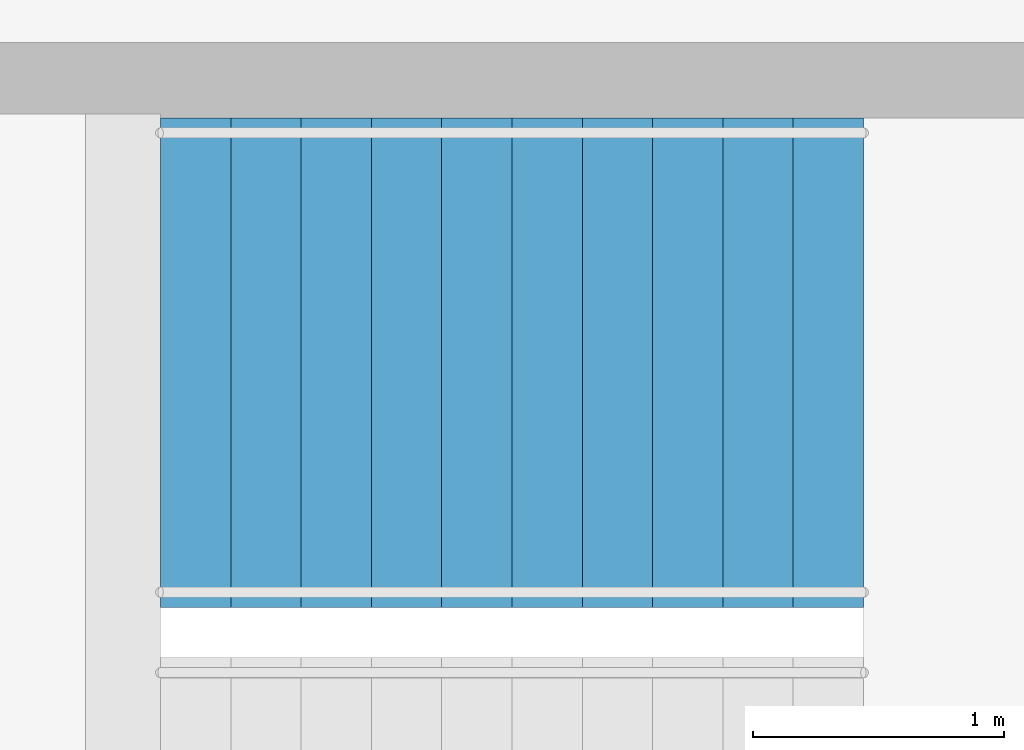
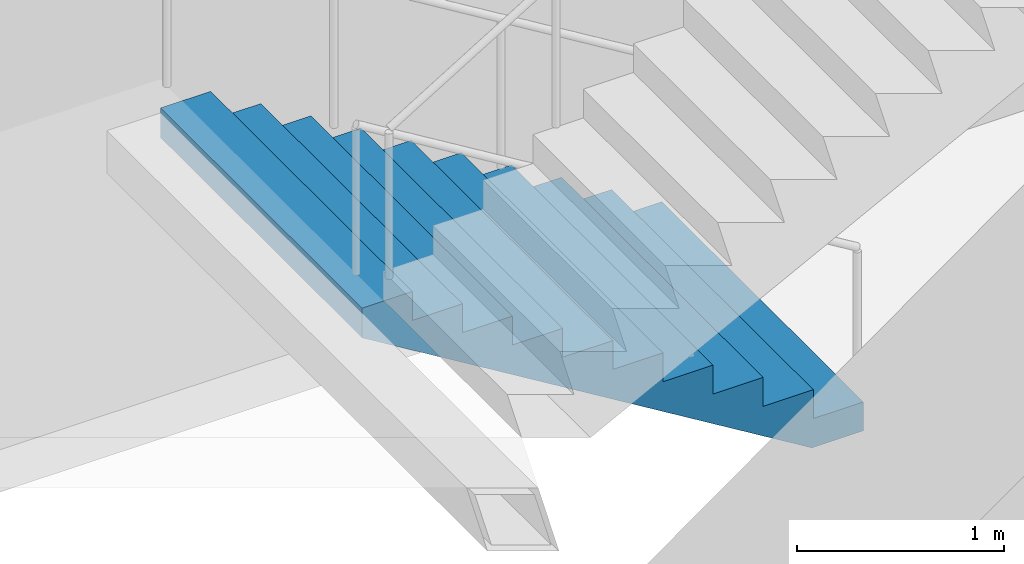
# One storey, part 22 of 23: 1 stair flight, 1 element without a shape of its own.
"""IFC4 building model written with IfcOpenShell, lengths in metres."""

import ifcopenshell
import ifcopenshell.guid

model = None  # the IFC model being written
_history = None  # IfcOwnerHistory: only IFC2X3 demands one
_inside = {}  # id of a spatial element -> (the spatial element, [elements in it])
_under = {}  # id of a project, library or spatial element -> (it, [spatial elements below it])
_declared = {}  # id of a project -> (the project, [libraries it declares])
_typed = {}  # id of a type object -> (the type object, [elements of that type])
_made_of = {}  # id of a material, layer set ... -> (it, [elements and type objects made of it])


def new_model(schema):
    """Start an empty IFC model of exactly this schema.

    Asked for "IFC4X3", IfcOpenShell would pick the latest addendum, in which some entities
    have other attributes; the version numbers below select the first issue.
    IFC2X3 requires an IfcOwnerHistory on every rooted entity: one is made here for all.
    """
    global model, _history
    if schema == "IFC4X3":
        model = ifcopenshell.file(schema_version=(4, 3, 0, 0))
    else:
        model = ifcopenshell.file(schema=schema)
    _inside.clear()
    _under.clear()
    _declared.clear()
    _typed.clear()
    _made_of.clear()
    _history = None
    if model.schema == "IFC2X3":
        org = make("IfcOrganization", Name="unknown")
        user = make(
            "IfcPersonAndOrganization",
            ThePerson=make("IfcPerson", FamilyName="unknown"),
            TheOrganization=org,
        )
        app = make(
            "IfcApplication",
            ApplicationDeveloper=org,
            Version="unknown",
            ApplicationFullName="unknown",
            ApplicationIdentifier="unknown",
        )
        _history = make(
            "IfcOwnerHistory",
            OwningUser=user,
            OwningApplication=app,
            ChangeAction="ADDED",
            CreationDate=0,
        )
    return model


def make(cls, **values):
    """One entity of the class cls with the attributes given. An attribute that is None is left unset."""
    return model.create_entity(
        cls, **{name: value for name, value in values.items() if value is not None}
    )


def rooted(cls, **values):
    """An entity with a GlobalId (a new one), such as an element, a storey or a relation."""
    return make(cls, GlobalId=ifcopenshell.guid.new(), OwnerHistory=_history, **values)


def si_unit(unit_type, name, prefix=None):
    """IfcSIUnit, for example si_unit("LENGTHUNIT", "METRE", prefix="MILLI")."""
    return make("IfcSIUnit", UnitType=unit_type, Prefix=prefix, Name=name)


def assignment(units):
    """IfcUnitAssignment: the units of a project."""
    return None if units is None else make("IfcUnitAssignment", Units=units)


def point(xyz):
    """IfcCartesianPoint."""
    return None if xyz is None else make("IfcCartesianPoint", Coordinates=xyz)


def direction(xyz):
    """IfcDirection."""
    return None if xyz is None else make("IfcDirection", DirectionRatios=xyz)


def frame(location, z_axis=None, x_axis=None):
    """IfcAxis2Placement3D, a coordinate frame: its origin and axes. An axis left out is left unset."""
    return make(
        "IfcAxis2Placement3D",
        Location=point(location),
        Axis=direction(z_axis),
        RefDirection=direction(x_axis),
    )


def origin():
    """The frame at (0, 0, 0) with its axes left unset."""
    return frame((0.0, 0.0, 0.0))


def place(relative_to, where):
    """IfcLocalPlacement: puts the frame where relative to a parent placement (None: the world)."""
    return make(
        "IfcLocalPlacement", PlacementRelTo=relative_to, RelativePlacement=where
    )


def context(
    kind, dimensions, precision=None, world=None, true_north=None, identifier=None
):
    """IfcGeometricRepresentationContext, for example the 3D "Model" context."""
    return make(
        "IfcGeometricRepresentationContext",
        ContextIdentifier=identifier,
        ContextType=kind,
        CoordinateSpaceDimension=dimensions,
        Precision=precision,
        WorldCoordinateSystem=world,
        TrueNorth=true_north,
    )


def subcontext(parent, identifier, kind, view, scale=None):
    """IfcGeometricRepresentationSubContext, for example "Body" below "Model"."""
    return make(
        "IfcGeometricRepresentationSubContext",
        ContextIdentifier=identifier,
        ContextType=kind,
        ParentContext=parent,
        TargetScale=scale,
        TargetView=view,
    )


def project(units=None, contexts=None):
    """IfcProject with its units and contexts."""
    return rooted(
        "IfcProject",
        Name="project",
        RepresentationContexts=contexts,
        UnitsInContext=assignment(units),
    )


def spatial(cls, under=None, at=None, **own):
    """A site, building, storey or space (cls), placed at a placement, below another one or the project."""
    s = rooted(cls, ObjectPlacement=at, **own)
    if under is not None:
        _under.setdefault(under.id(), (under, []))[1].append(s)
    return s


def point_list(points):
    """IfcCartesianPointList2D or 3D."""
    cls = (
        "IfcCartesianPointList2D" if len(points[0]) == 2 else "IfcCartesianPointList3D"
    )
    return make(cls, CoordList=points)


def triangles(points, corners, closed=None, point_numbers=None):
    """IfcTriangulatedFaceSet: each triangle names its three corners, points numbered from 1."""
    return make(
        "IfcTriangulatedFaceSet",
        Coordinates=point_list(points),
        Closed=closed,
        CoordIndex=corners,
        PnIndex=point_numbers,
    )


def shape(context_of_items, identifier, shape_type, items):
    """IfcShapeRepresentation: the items that make up one representation, for example the "Body"."""
    return make(
        "IfcShapeRepresentation",
        ContextOfItems=context_of_items,
        RepresentationIdentifier=identifier,
        RepresentationType=shape_type,
        Items=items,
    )


def material(Name=None, Category=None):
    """IfcMaterial."""
    return make("IfcMaterial", Name=Name, Category=Category)


def made_of(thing, what):
    """Note that an element or type object is made of a material, layer set ...; save() writes the relation."""
    if what is not None:
        _made_of.setdefault(what.id(), (what, []))[1].append(thing)
    return thing


def type_object(cls, material=None, **own):
    """A type object (cls), such as IfcWallType, which elements share."""
    return made_of(rooted(cls, **own), material)


def element(
    cls,
    number,
    at=None,
    inside=None,
    cuts=None,
    type_object=None,
    material=None,
    context=None,
    identifier="Body",
    shape_type=None,
    held_by="IfcProductDefinitionShape",
    body=None,
    shapes=None,
    **own,
):
    """One element of the class cls, such as IfcWall. Its Tag is "e" and its number.

    at: its placement. inside: the storey or other place that contains it. cuts: it is an
    opening in that element (IfcRelVoidsElement). A single representation is given by context,
    identifier, shape_type and body (its items); several are given by shapes. held_by: the class
    of the entity that holds the representations. save() writes the other relations.
    """
    e = rooted(cls, Tag="e%d" % number, ObjectPlacement=at, **own)
    if body is not None:
        shapes = [shape(context, identifier, shape_type, body)]
    if shapes is not None:
        e.Representation = make(held_by, Representations=shapes)
    if inside is not None:
        _inside.setdefault(inside.id(), (inside, []))[1].append(e)
    if cuts is not None:
        rooted(
            "IfcRelVoidsElement", RelatingBuildingElement=cuts, RelatedOpeningElement=e
        )
    if type_object is not None:
        _typed.setdefault(type_object.id(), (type_object, []))[1].append(e)
    return made_of(e, material)


def aggregate(whole, parts):
    """IfcRelAggregates: a whole, such as a stair, and the parts it consists of."""
    return rooted("IfcRelAggregates", RelatingObject=whole, RelatedObjects=parts)


def save(model, path):
    """Write the relations noted so far, then the file.

    IfcRelAggregates (storeys below a building ...), IfcRelContainedInSpatialStructure (elements
    in a storey), IfcRelDefinesByType, IfcRelAssociatesMaterial and IfcRelDeclares: one each for
    every whole, place, type object, material and project.
    """
    for whole, parts in _under.values():
        aggregate(whole, parts)
    for where, things in _inside.values():
        rooted(
            "IfcRelContainedInSpatialStructure",
            RelatedElements=things,
            RelatingStructure=where,
        )
    for kind, things in _typed.values():
        rooted("IfcRelDefinesByType", RelatedObjects=things, RelatingType=kind)
    for what, things in _made_of.values():
        rooted("IfcRelAssociatesMaterial", RelatedObjects=things, RelatingMaterial=what)
    for by, libraries in _declared.values():
        rooted("IfcRelDeclares", RelatingContext=by, RelatedDefinitions=libraries)
    model.write(path)


model = new_model("IFC4")

# Units and contexts
model_context = context("Model", 3, precision=1e-05, world=origin(), true_north=direction((0.0, 1.0)))
body_context = subcontext(model_context, "Body", "Model", "MODEL_VIEW")
ifc_project = project(units=[si_unit("LENGTHUNIT", "METRE"), si_unit("AREAUNIT", "SQUARE_METRE"), si_unit("VOLUMEUNIT", "CUBIC_METRE"), si_unit("PLANEANGLEUNIT", "RADIAN"), si_unit("MASSUNIT", "GRAM", prefix="KILO")], contexts=[model_context])

# Site, building, storey
site_placement = place(None, origin())
site = spatial("IfcSite", under=ifc_project, at=site_placement, CompositionType="ELEMENT")
building_placement = place(site_placement, origin())
building = spatial("IfcBuilding", under=site, at=building_placement, Name="Orbita Commons", CompositionType="ELEMENT")
storey_placement = place(building_placement, frame((0.0, 0.0, 250.300048828125)))
storey = spatial("IfcBuildingStorey", under=building, at=storey_placement, Name="L62", CompositionType="ELEMENT", Elevation=250.300048828125)

# Stair, stair flight
ifc_material_1 = material(Name="Precast concrete C40/50", Category="concrete")
stair_type = type_object("IfcStairType", Name="Exit stair S2 2 flights 11 risers 170", PredefinedType="HALF_TURN_STAIR", material=ifc_material_1)
stair_placement = place(storey_placement, origin())
stair = element("IfcStair", 1, at=stair_placement, inside=storey, type_object=stair_type, Name="Exit stair S2 L62", PredefinedType="HALF_TURN_STAIR")
ifc_material_2 = material(Name="Precast concrete C40/50", Category="concrete")
stair_flight_type = type_object("IfcStairFlightType", Name="Stair flight 11 risers 170 x 280", PredefinedType="STRAIGHT", material=ifc_material_2)
stair_flight_placement = place(storey_placement, frame((63.550048828125, 29.27490234375, 0.0), z_axis=(0.0, 0.0, 1.0), x_axis=(-1.0, 0.0, 0.0)))
stair_flight = element("IfcStairFlight", 2, at=stair_flight_placement, type_object=stair_flight_type, Name="S2 flight 1", NumberOfRisers=11, NumberOfTreads=10, PredefinedType="STRAIGHT", RiserHeight=0.170454545, TreadLength=0.28, context=body_context, shape_type="Tessellation", body=[
    triangles([(0.0, 0.974976, 0.0), (0.0, 0.974976, 0.021307), (0.0, 0.81248, 0.021307), (0.0, 0.81248, 0.0), (0.0, 0.649984, 0.021307), (0.0, 0.649984, 0.0), (0.0, 0.487488, 0.021307), (0.0, 0.487488, 0.0), (0.0, 0.324992, 0.021307), (0.0, 0.324992, 0.0), (0.0, 0.162496, 0.021307), (0.0, 0.162496, 0.0), (0.0, 0.0, 0.021307), (0.0, 0.0, 0.0), (0.0, -0.162496, 0.021307), (0.0, -0.162496, 0.0), (0.0, -0.324992, 0.021307), (0.0, -0.324992, 0.0), (0.0, -0.487488, 0.021307), (0.0, -0.487488, 0.0), (0.0, -0.649984, 0.021307), (0.0, -0.649984, 0.0), (0.0, -0.81248, 0.021307), (0.0, -0.81248, 0.0), (0.0, -0.974976, 0.021307), (0.0, -0.974976, 0.0), (0.0, 0.974976, 0.042614), (0.0, 0.81248, 0.042614), (0.0, 0.649984, 0.042614), (0.0, 0.487488, 0.042614), (0.0, 0.324992, 0.042614), (0.0, 0.162496, 0.042614), (0.0, 0.0, 0.042614), (0.0, -0.162496, 0.042614), (0.0, -0.324992, 0.042614), (0.0, -0.487488, 0.042614), (0.0, -0.649984, 0.042614), (0.0, -0.81248, 0.042614), (0.0, -0.974976, 0.042614), (0.0, 0.974976, 0.06392), (0.0, 0.81248, 0.06392), (0.0, 0.649984, 0.06392), (0.0, 0.487488, 0.06392), (0.0, 0.324992, 0.06392), (0.0, 0.162496, 0.06392), (0.0, 0.0, 0.06392), (0.0, -0.162496, 0.06392), (0.0, -0.324992, 0.06392), (0.0, -0.487488, 0.06392), (0.0, -0.649984, 0.06392), (0.0, -0.81248, 0.06392), (0.0, -0.974976, 0.06392), (0.0, 0.974976, 0.085227), (0.0, 0.81248, 0.085227), (0.0, 0.649984, 0.085227), (0.0, 0.487488, 0.085227), (0.0, 0.324992, 0.085227), (0.0, 0.162496, 0.085227), (0.0, 0.0, 0.085227), (0.0, -0.162496, 0.085227), (0.0, -0.324992, 0.085227), (0.0, -0.487488, 0.085227), (0.0, -0.649984, 0.085227), (0.0, -0.81248, 0.085227), (0.0, -0.974976, 0.085227), (0.0, 0.974976, 0.106534), (0.0, 0.81248, 0.106534), (0.0, 0.649984, 0.106534), (0.0, 0.487488, 0.106534), (0.0, 0.324992, 0.106534), (0.0, 0.162496, 0.106534), (0.0, 0.0, 0.106534), (0.0, -0.162496, 0.106534), (0.0, -0.324992, 0.106534), (0.0, -0.487488, 0.106534), (0.0, -0.649984, 0.106534), (0.0, -0.81248, 0.106534), (0.0, -0.974976, 0.106534), (0.0, 0.974976, 0.127841), (0.0, 0.81248, 0.127841), (0.0, 0.649984, 0.127841), (0.0, 0.487488, 0.127841), (0.0, 0.324992, 0.127841), (0.0, 0.162496, 0.127841), (0.0, 0.0, 0.127841), (0.0, -0.162496, 0.127841), (0.0, -0.324992, 0.127841), (0.0, -0.487488, 0.127841), (0.0, -0.649984, 0.127841), (0.0, -0.81248, 0.127841), (0.0, -0.974976, 0.127841), (0.0, 0.974976, 0.149148), (0.0, 0.81248, 0.149148), (0.0, 0.649984, 0.149148), (0.0, 0.487488, 0.149148), (0.0, 0.324992, 0.149148), (0.0, 0.162496, 0.149148), (0.0, 0.0, 0.149148), (0.0, -0.162496, 0.149148), (0.0, -0.324992, 0.149148), (0.0, -0.487488, 0.149148), (0.0, -0.649984, 0.149148), (0.0, -0.81248, 0.149148), (0.0, -0.974976, 0.149148), (0.0, 0.974976, 0.170455), (0.0, 0.81248, 0.170455), (0.0, 0.649984, 0.170455), (0.0, 0.487488, 0.170455), (0.0, 0.324992, 0.170455), (0.0, 0.162496, 0.170455), (0.0, 0.0, 0.170455), (0.0, -0.162496, 0.170455), (0.0, -0.324992, 0.170455), (0.0, -0.487488, 0.170455), (0.0, -0.649984, 0.170455), (0.0, -0.81248, 0.170455), (0.0, -0.974976, 0.170455), (0.28, 0.974976, 0.170455), (0.28, 0.81248, 0.170455), (0.28, 0.649984, 0.170455), (0.28, 0.487488, 0.170455), (0.28, 0.324992, 0.170455), (0.28, 0.162496, 0.170455), (0.28, 0.0, 0.170455), (0.28, -0.162496, 0.170455), (0.28, -0.324992, 0.170455), (0.28, -0.487488, 0.170455), (0.28, -0.649984, 0.170455), (0.28, -0.81248, 0.170455), (0.28, -0.974976, 0.170455), (0.28, 0.974976, 0.340909), (0.28, 0.81248, 0.340909), (0.28, 0.649984, 0.340909), (0.28, 0.487488, 0.340909), (0.28, 0.324992, 0.340909), (0.28, 0.162496, 0.340909), (0.28, 0.0, 0.340909), (0.28, -0.162496, 0.340909), (0.28, -0.324992, 0.340909), (0.28, -0.487488, 0.340909), (0.28, -0.649984, 0.340909), (0.28, -0.81248, 0.340909), (0.28, -0.974976, 0.340909), (0.56, 0.974976, 0.340909), (0.56, 0.81248, 0.340909), (0.56, 0.649984, 0.340909), (0.56, 0.487488, 0.340909), (0.56, 0.324992, 0.340909), (0.56, 0.162496, 0.340909), (0.56, 0.0, 0.340909), (0.56, -0.162496, 0.340909), (0.56, -0.324992, 0.340909), (0.56, -0.487488, 0.340909), (0.56, -0.649984, 0.340909), (0.56, -0.81248, 0.340909), (0.56, -0.974976, 0.340909), (0.56, 0.974976, 0.511364), (0.56, 0.81248, 0.511364), (0.56, 0.649984, 0.511364), (0.56, 0.487488, 0.511364), (0.56, 0.324992, 0.511364), (0.56, 0.162496, 0.511364), (0.56, 0.0, 0.511364), (0.56, -0.162496, 0.511364), (0.56, -0.324992, 0.511364), (0.56, -0.487488, 0.511364), (0.56, -0.649984, 0.511364), (0.56, -0.81248, 0.511364), (0.56, -0.974976, 0.511364), (0.84, 0.974976, 0.511364), (0.84, 0.81248, 0.511364), (0.84, 0.649984, 0.511364), (0.84, 0.487488, 0.511364), (0.84, 0.324992, 0.511364), (0.84, 0.162496, 0.511364), (0.84, 0.0, 0.511364), (0.84, -0.162496, 0.511364), (0.84, -0.324992, 0.511364), (0.84, -0.487488, 0.511364), (0.84, -0.649984, 0.511364), (0.84, -0.81248, 0.511364), (0.84, -0.974976, 0.511364), (0.84, 0.974976, 0.681818), (0.84, 0.81248, 0.681818), (0.84, 0.649984, 0.681818), (0.84, 0.487488, 0.681818), (0.84, 0.324992, 0.681818), (0.84, 0.162496, 0.681818), (0.84, 0.0, 0.681818), (0.84, -0.162496, 0.681818), (0.84, -0.324992, 0.681818), (0.84, -0.487488, 0.681818), (0.84, -0.649984, 0.681818), (0.84, -0.81248, 0.681818), (0.84, -0.974976, 0.681818), (1.12, 0.974976, 0.681818), (1.12, 0.81248, 0.681818), (1.12, 0.649984, 0.681818), (1.12, 0.487488, 0.681818), (1.12, 0.324992, 0.681818), (1.12, 0.162496, 0.681818), (1.12, 0.0, 0.681818), (1.12, -0.162496, 0.681818), (1.12, -0.324992, 0.681818), (1.12, -0.487488, 0.681818), (1.12, -0.649984, 0.681818), (1.12, -0.81248, 0.681818), (1.12, -0.974976, 0.681818), (1.12, 0.974976, 0.852273), (1.12, 0.81248, 0.852273), (1.12, 0.649984, 0.852273), (1.12, 0.487488, 0.852273), (1.12, 0.324992, 0.852273), (1.12, 0.162496, 0.852273), (1.12, 0.0, 0.852273), (1.12, -0.162496, 0.852273), (1.12, -0.324992, 0.852273), (1.12, -0.487488, 0.852273), (1.12, -0.649984, 0.852273), (1.12, -0.81248, 0.852273), (1.12, -0.974976, 0.852273), (1.4, 0.974976, 0.852273), (1.4, 0.81248, 0.852273), (1.4, 0.649984, 0.852273), (1.4, 0.487488, 0.852273), (1.4, 0.324992, 0.852273), (1.4, 0.162496, 0.852273), (1.4, 0.0, 0.852273), (1.4, -0.162496, 0.852273), (1.4, -0.324992, 0.852273), (1.4, -0.487488, 0.852273), (1.4, -0.649984, 0.852273), (1.4, -0.81248, 0.852273), (1.4, -0.974976, 0.852273), (1.4, 0.974976, 1.022727), (1.4, 0.81248, 1.022727), (1.4, 0.649984, 1.022727), (1.4, 0.487488, 1.022727), (1.4, 0.324992, 1.022727), (1.4, 0.162496, 1.022727), (1.4, 0.0, 1.022727), (1.4, -0.162496, 1.022727), (1.4, -0.324992, 1.022727), (1.4, -0.487488, 1.022727), (1.4, -0.649984, 1.022727), (1.4, -0.81248, 1.022727), (1.4, -0.974976, 1.022727), (1.68, 0.974976, 1.022727), (1.68, 0.81248, 1.022727), (1.68, 0.649984, 1.022727), (1.68, 0.487488, 1.022727), (1.68, 0.324992, 1.022727), (1.68, 0.162496, 1.022727), (1.68, 0.0, 1.022727), (1.68, -0.162496, 1.022727), (1.68, -0.324992, 1.022727), (1.68, -0.487488, 1.022727), (1.68, -0.649984, 1.022727), (1.68, -0.81248, 1.022727), (1.68, -0.974976, 1.022727), (1.68, 0.974976, 1.193182), (1.68, 0.81248, 1.193182), (1.68, 0.649984, 1.193182), (1.68, 0.487488, 1.193182), (1.68, 0.324992, 1.193182), (1.68, 0.162496, 1.193182), (1.68, 0.0, 1.193182), (1.68, -0.162496, 1.193182), (1.68, -0.324992, 1.193182), (1.68, -0.487488, 1.193182), (1.68, -0.649984, 1.193182), (1.68, -0.81248, 1.193182), (1.68, -0.974976, 1.193182), (1.96, 0.974976, 1.193182), (1.96, 0.81248, 1.193182), (1.96, 0.649984, 1.193182), (1.96, 0.487488, 1.193182), (1.96, 0.324992, 1.193182), (1.96, 0.162496, 1.193182), (1.96, 0.0, 1.193182), (1.96, -0.162496, 1.193182), (1.96, -0.324992, 1.193182), (1.96, -0.487488, 1.193182), (1.96, -0.649984, 1.193182), (1.96, -0.81248, 1.193182), (1.96, -0.974976, 1.193182), (1.96, 0.974976, 1.363636), (1.96, 0.81248, 1.363636), (1.96, 0.649984, 1.363636), (1.96, 0.487488, 1.363636), (1.96, 0.324992, 1.363636), (1.96, 0.162496, 1.363636), (1.96, 0.0, 1.363636), (1.96, -0.162496, 1.363636), (1.96, -0.324992, 1.363636), (1.96, -0.487488, 1.363636), (1.96, -0.649984, 1.363636), (1.96, -0.81248, 1.363636), (1.96, -0.974976, 1.363636), (2.24, 0.974976, 1.363636), (2.24, 0.81248, 1.363636), (2.24, 0.649984, 1.363636), (2.24, 0.487488, 1.363636), (2.24, 0.324992, 1.363636), (2.24, 0.162496, 1.363636), (2.24, 0.0, 1.363636), (2.24, -0.162496, 1.363636), (2.24, -0.324992, 1.363636), (2.24, -0.487488, 1.363636), (2.24, -0.649984, 1.363636), (2.24, -0.81248, 1.363636), (2.24, -0.974976, 1.363636), (2.24, 0.974976, 1.534091), (2.24, 0.81248, 1.534091), (2.24, 0.649984, 1.534091), (2.24, 0.487488, 1.534091), (2.24, 0.324992, 1.534091), (2.24, 0.162496, 1.534091), (2.24, 0.0, 1.534091), (2.24, -0.162496, 1.534091), (2.24, -0.324992, 1.534091), (2.24, -0.487488, 1.534091), (2.24, -0.649984, 1.534091), (2.24, -0.81248, 1.534091), (2.24, -0.974976, 1.534091), (2.52, 0.974976, 1.534091), (2.52, 0.81248, 1.534091), (2.52, 0.649984, 1.534091), (2.52, 0.487488, 1.534091), (2.52, 0.324992, 1.534091), (2.52, 0.162496, 1.534091), (2.52, 0.0, 1.534091), (2.52, -0.162496, 1.534091), (2.52, -0.324992, 1.534091), (2.52, -0.487488, 1.534091), (2.52, -0.649984, 1.534091), (2.52, -0.81248, 1.534091), (2.52, -0.974976, 1.534091), (2.52, 0.974976, 1.704545), (2.52, 0.81248, 1.704545), (2.52, 0.649984, 1.704545), (2.52, 0.487488, 1.704545), (2.52, 0.324992, 1.704545), (2.52, 0.162496, 1.704545), (2.52, 0.0, 1.704545), (2.52, -0.162496, 1.704545), (2.52, -0.324992, 1.704545), (2.52, -0.487488, 1.704545), (2.52, -0.649984, 1.704545), (2.52, -0.81248, 1.704545), (2.52, -0.974976, 1.704545), (2.8, 0.974976, 1.704545), (2.8, 0.81248, 1.704545), (2.8, 0.649984, 1.704545), (2.8, 0.487488, 1.704545), (2.8, 0.324992, 1.704545), (2.8, 0.162496, 1.704545), (2.8, 0.0, 1.704545), (2.8, -0.162496, 1.704545), (2.8, -0.324992, 1.704545), (2.8, -0.487488, 1.704545), (2.8, -0.649984, 1.704545), (2.8, -0.81248, 1.704545), (2.8, -0.974976, 1.704545), (2.8, 0.974976, 1.682609), (2.8, 0.81248, 1.682609), (2.8, 0.649984, 1.682609), (2.8, 0.487488, 1.682609), (2.8, 0.324992, 1.682609), (2.8, 0.162496, 1.682609), (2.8, 0.0, 1.682609), (2.8, -0.162496, 1.682609), (2.8, -0.324992, 1.682609), (2.8, -0.487488, 1.682609), (2.8, -0.649984, 1.682609), (2.8, -0.81248, 1.682609), (2.8, -0.974976, 1.682609), (2.8, 0.974976, 1.660672), (2.8, 0.81248, 1.660672), (2.8, 0.649984, 1.660672), (2.8, 0.487488, 1.660672), (2.8, 0.324992, 1.660672), (2.8, 0.162496, 1.660672), (2.8, 0.0, 1.660672), (2.8, -0.162496, 1.660672), (2.8, -0.324992, 1.660672), (2.8, -0.487488, 1.660672), (2.8, -0.649984, 1.660672), (2.8, -0.81248, 1.660672), (2.8, -0.974976, 1.660672), (2.8, 0.974976, 1.638735), (2.8, 0.81248, 1.638735), (2.8, 0.649984, 1.638735), (2.8, 0.487488, 1.638735), (2.8, 0.324992, 1.638735), (2.8, 0.162496, 1.638735), (2.8, 0.0, 1.638735), (2.8, -0.162496, 1.638735), (2.8, -0.324992, 1.638735), (2.8, -0.487488, 1.638735), (2.8, -0.649984, 1.638735), (2.8, -0.81248, 1.638735), (2.8, -0.974976, 1.638735), (2.8, 0.974976, 1.616798), (2.8, 0.81248, 1.616798), (2.8, 0.649984, 1.616798), (2.8, 0.487488, 1.616798), (2.8, 0.324992, 1.616798), (2.8, 0.162496, 1.616798), (2.8, 0.0, 1.616798), (2.8, -0.162496, 1.616798), (2.8, -0.324992, 1.616798), (2.8, -0.487488, 1.616798), (2.8, -0.649984, 1.616798), (2.8, -0.81248, 1.616798), (2.8, -0.974976, 1.616798), (2.8, 0.974976, 1.594861), (2.8, 0.81248, 1.594861), (2.8, 0.649984, 1.594861), (2.8, 0.487488, 1.594861), (2.8, 0.324992, 1.594861), (2.8, 0.162496, 1.594861), (2.8, 0.0, 1.594861), (2.8, -0.162496, 1.594861), (2.8, -0.324992, 1.594861), (2.8, -0.487488, 1.594861), (2.8, -0.649984, 1.594861), (2.8, -0.81248, 1.594861), (2.8, -0.974976, 1.594861), (2.8, 0.974976, 1.572925), (2.8, 0.81248, 1.572925), (2.8, 0.649984, 1.572925), (2.8, 0.487488, 1.572925), (2.8, 0.324992, 1.572925), (2.8, 0.162496, 1.572925), (2.8, 0.0, 1.572925), (2.8, -0.162496, 1.572925), (2.8, -0.324992, 1.572925), (2.8, -0.487488, 1.572925), (2.8, -0.649984, 1.572925), (2.8, -0.81248, 1.572925), (2.8, -0.974976, 1.572925), (2.8, 0.974976, 1.550988), (2.8, 0.81248, 1.550988), (2.8, 0.649984, 1.550988), (2.8, 0.487488, 1.550988), (2.8, 0.324992, 1.550988), (2.8, 0.162496, 1.550988), (2.8, 0.0, 1.550988), (2.8, -0.162496, 1.550988), (2.8, -0.324992, 1.550988), (2.8, -0.487488, 1.550988), (2.8, -0.649984, 1.550988), (2.8, -0.81248, 1.550988), (2.8, -0.974976, 1.550988), (2.8, 0.974976, 1.529051), (2.8, 0.81248, 1.529051), (2.8, 0.649984, 1.529051), (2.8, 0.487488, 1.529051), (2.8, 0.324992, 1.529051), (2.8, 0.162496, 1.529051), (2.8, 0.0, 1.529051), (2.8, -0.162496, 1.529051), (2.8, -0.324992, 1.529051), (2.8, -0.487488, 1.529051), (2.8, -0.649984, 1.529051), (2.8, -0.81248, 1.529051), (2.8, -0.974976, 1.529051), (0.288279, 0.974976, 0.0), (0.288279, 0.81248, 0.0), (0.288279, 0.649984, 0.0), (0.288279, 0.487488, 0.0), (0.288279, 0.324992, 0.0), (0.288279, 0.162496, 0.0), (0.288279, 0.0, 0.0), (0.288279, -0.162496, 0.0), (0.288279, -0.324992, 0.0), (0.288279, -0.487488, 0.0), (0.288279, -0.649984, 0.0), (0.288279, -0.81248, 0.0), (0.288279, -0.974976, 0.0)], [[3, 2, 1], [4, 3, 1], [5, 3, 4], [6, 5, 4], [7, 5, 6], [8, 7, 6], [9, 7, 8], [10, 9, 8], [11, 9, 10], [12, 11, 10], [13, 11, 12], [14, 13, 12], [15, 13, 14], [16, 15, 14], [17, 15, 16], [18, 17, 16], [19, 17, 18], [20, 19, 18], [21, 19, 20], [22, 21, 20], [23, 21, 22], [24, 23, 22], [25, 23, 24], [26, 25, 24], [28, 27, 2], [3, 28, 2], [29, 28, 3], [5, 29, 3], [30, 29, 5], [7, 30, 5], [31, 30, 7], [9, 31, 7], [32, 31, 9], [11, 32, 9], [33, 32, 11], [13, 33, 11], [34, 33, 13], [15, 34, 13], [35, 34, 15], [17, 35, 15], [36, 35, 17], [19, 36, 17], [37, 36, 19], [21, 37, 19], [38, 37, 21], [23, 38, 21], [39, 38, 23], [25, 39, 23], [41, 40, 27], [28, 41, 27], [42, 41, 28], [29, 42, 28], [43, 42, 29], [30, 43, 29], [44, 43, 30], [31, 44, 30], [45, 44, 31], [32, 45, 31], [46, 45, 32], [33, 46, 32], [47, 46, 33], [34, 47, 33], [48, 47, 34], [35, 48, 34], [49, 48, 35], [36, 49, 35], [50, 49, 36], [37, 50, 36], [51, 50, 37], [38, 51, 37], [52, 51, 38], [39, 52, 38], [54, 53, 40], [41, 54, 40], [55, 54, 41], [42, 55, 41], [56, 55, 42], [43, 56, 42], [57, 56, 43], [44, 57, 43], [58, 57, 44], [45, 58, 44], [59, 58, 45], [46, 59, 45], [60, 59, 46], [47, 60, 46], [61, 60, 47], [48, 61, 47], [62, 61, 48], [49, 62, 48], [63, 62, 49], [50, 63, 49], [64, 63, 50], [51, 64, 50], [65, 64, 51], [52, 65, 51], [67, 66, 53], [54, 67, 53], [68, 67, 54], [55, 68, 54], [69, 68, 55], [56, 69, 55], [70, 69, 56], [57, 70, 56], [71, 70, 57], [58, 71, 57], [72, 71, 58], [59, 72, 58], [73, 72, 59], [60, 73, 59], [74, 73, 60], [61, 74, 60], [75, 74, 61], [62, 75, 61], [76, 75, 62], [63, 76, 62], [77, 76, 63], [64, 77, 63], [78, 77, 64], [65, 78, 64], [80, 79, 66], [67, 80, 66], [81, 80, 67], [68, 81, 67], [82, 81, 68], [69, 82, 68], [83, 82, 69], [70, 83, 69], [84, 83, 70], [71, 84, 70], [85, 84, 71], [72, 85, 71], [86, 85, 72], [73, 86, 72], [87, 86, 73], [74, 87, 73], [88, 87, 74], [75, 88, 74], [89, 88, 75], [76, 89, 75], [90, 89, 76], [77, 90, 76], [91, 90, 77], [78, 91, 77], [93, 92, 79], [80, 93, 79], [94, 93, 80], [81, 94, 80], [95, 94, 81], [82, 95, 81], [96, 95, 82], [83, 96, 82], [97, 96, 83], [84, 97, 83], [98, 97, 84], [85, 98, 84], [99, 98, 85], [86, 99, 85], [100, 99, 86], [87, 100, 86], [101, 100, 87], [88, 101, 87], [102, 101, 88], [89, 102, 88], [103, 102, 89], [90, 103, 89], [104, 103, 90], [91, 104, 90], [106, 105, 92], [93, 106, 92], [107, 106, 93], [94, 107, 93], [108, 107, 94], [95, 108, 94], [109, 108, 95], [96, 109, 95], [110, 109, 96], [97, 110, 96], [111, 110, 97], [98, 111, 97], [112, 111, 98], [99, 112, 98], [113, 112, 99], [100, 113, 99], [114, 113, 100], [101, 114, 100], [115, 114, 101], [102, 115, 101], [116, 115, 102], [103, 116, 102], [117, 116, 103], [104, 117, 103], [119, 118, 105], [106, 119, 105], [120, 119, 106], [107, 120, 106], [121, 120, 107], [108, 121, 107], [122, 121, 108], [109, 122, 108], [123, 122, 109], [110, 123, 109], [124, 123, 110], [111, 124, 110], [125, 124, 111], [112, 125, 111], [126, 125, 112], [113, 126, 112], [127, 126, 113], [114, 127, 113], [128, 127, 114], [115, 128, 114], [129, 128, 115], [116, 129, 115], [130, 129, 116], [117, 130, 116], [132, 131, 118], [119, 132, 118], [133, 132, 119], [120, 133, 119], [134, 133, 120], [121, 134, 120], [135, 134, 121], [122, 135, 121], [136, 135, 122], [123, 136, 122], [137, 136, 123], [124, 137, 123], [138, 137, 124], [125, 138, 124], [139, 138, 125], [126, 139, 125], [140, 139, 126], [127, 140, 126], [141, 140, 127], [128, 141, 127], [142, 141, 128], [129, 142, 128], [143, 142, 129], [130, 143, 129], [145, 144, 131], [132, 145, 131], [146, 145, 132], [133, 146, 132], [147, 146, 133], [134, 147, 133], [148, 147, 134], [135, 148, 134], [149, 148, 135], [136, 149, 135], [150, 149, 136], [137, 150, 136], [151, 150, 137], [138, 151, 137], [152, 151, 138], [139, 152, 138], [153, 152, 139], [140, 153, 139], [154, 153, 140], [141, 154, 140], [155, 154, 141], [142, 155, 141], [156, 155, 142], [143, 156, 142], [158, 157, 144], [145, 158, 144], [159, 158, 145], [146, 159, 145], [160, 159, 146], [147, 160, 146], [161, 160, 147], [148, 161, 147], [162, 161, 148], [149, 162, 148], [163, 162, 149], [150, 163, 149], [164, 163, 150], [151, 164, 150], [165, 164, 151], [152, 165, 151], [166, 165, 152], [153, 166, 152], [167, 166, 153], [154, 167, 153], [168, 167, 154], [155, 168, 154], [169, 168, 155], [156, 169, 155], [171, 170, 157], [158, 171, 157], [172, 171, 158], [159, 172, 158], [173, 172, 159], [160, 173, 159], [174, 173, 160], [161, 174, 160], [175, 174, 161], [162, 175, 161], [176, 175, 162], [163, 176, 162], [177, 176, 163], [164, 177, 163], [178, 177, 164], [165, 178, 164], [179, 178, 165], [166, 179, 165], [180, 179, 166], [167, 180, 166], [181, 180, 167], [168, 181, 167], [182, 181, 168], [169, 182, 168], [184, 183, 170], [171, 184, 170], [185, 184, 171], [172, 185, 171], [186, 185, 172], [173, 186, 172], [187, 186, 173], [174, 187, 173], [188, 187, 174], [175, 188, 174], [189, 188, 175], [176, 189, 175], [190, 189, 176], [177, 190, 176], [191, 190, 177], [178, 191, 177], [192, 191, 178], [179, 192, 178], [193, 192, 179], [180, 193, 179], [194, 193, 180], [181, 194, 180], [195, 194, 181], [182, 195, 181], [197, 196, 183], [184, 197, 183], [198, 197, 184], [185, 198, 184], [199, 198, 185], [186, 199, 185], [200, 199, 186], [187, 200, 186], [201, 200, 187], [188, 201, 187], [202, 201, 188], [189, 202, 188], [203, 202, 189], [190, 203, 189], [204, 203, 190], [191, 204, 190], [205, 204, 191], [192, 205, 191], [206, 205, 192], [193, 206, 192], [207, 206, 193], [194, 207, 193], [208, 207, 194], [195, 208, 194], [210, 209, 196], [197, 210, 196], [211, 210, 197], [198, 211, 197], [212, 211, 198], [199, 212, 198], [213, 212, 199], [200, 213, 199], [214, 213, 200], [201, 214, 200], [215, 214, 201], [202, 215, 201], [216, 215, 202], [203, 216, 202], [217, 216, 203], [204, 217, 203], [218, 217, 204], [205, 218, 204], [219, 218, 205], [206, 219, 205], [220, 219, 206], [207, 220, 206], [221, 220, 207], [208, 221, 207], [223, 222, 209], [210, 223, 209], [224, 223, 210], [211, 224, 210], [225, 224, 211], [212, 225, 211], [226, 225, 212], [213, 226, 212], [227, 226, 213], [214, 227, 213], [228, 227, 214], [215, 228, 214], [229, 228, 215], [216, 229, 215], [230, 229, 216], [217, 230, 216], [231, 230, 217], [218, 231, 217], [232, 231, 218], [219, 232, 218], [233, 232, 219], [220, 233, 219], [234, 233, 220], [221, 234, 220], [236, 235, 222], [223, 236, 222], [237, 236, 223], [224, 237, 223], [238, 237, 224], [225, 238, 224], [239, 238, 225], [226, 239, 225], [240, 239, 226], [227, 240, 226], [241, 240, 227], [228, 241, 227], [242, 241, 228], [229, 242, 228], [243, 242, 229], [230, 243, 229], [244, 243, 230], [231, 244, 230], [245, 244, 231], [232, 245, 231], [246, 245, 232], [233, 246, 232], [247, 246, 233], [234, 247, 233], [249, 248, 235], [236, 249, 235], [250, 249, 236], [237, 250, 236], [251, 250, 237], [238, 251, 237], [252, 251, 238], [239, 252, 238], [253, 252, 239], [240, 253, 239], [254, 253, 240], [241, 254, 240], [255, 254, 241], [242, 255, 241], [256, 255, 242], [243, 256, 242], [257, 256, 243], [244, 257, 243], [258, 257, 244], [245, 258, 244], [259, 258, 245], [246, 259, 245], [260, 259, 246], [247, 260, 246], [262, 261, 248], [249, 262, 248], [263, 262, 249], [250, 263, 249], [264, 263, 250], [251, 264, 250], [265, 264, 251], [252, 265, 251], [266, 265, 252], [253, 266, 252], [267, 266, 253], [254, 267, 253], [268, 267, 254], [255, 268, 254], [269, 268, 255], [256, 269, 255], [270, 269, 256], [257, 270, 256], [271, 270, 257], [258, 271, 257], [272, 271, 258], [259, 272, 258], [273, 272, 259], [260, 273, 259], [275, 274, 261], [262, 275, 261], [276, 275, 262], [263, 276, 262], [277, 276, 263], [264, 277, 263], [278, 277, 264], [265, 278, 264], [279, 278, 265], [266, 279, 265], [280, 279, 266], [267, 280, 266], [281, 280, 267], [268, 281, 267], [282, 281, 268], [269, 282, 268], [283, 282, 269], [270, 283, 269], [284, 283, 270], [271, 284, 270], [285, 284, 271], [272, 285, 271], [286, 285, 272], [273, 286, 272], [288, 287, 274], [275, 288, 274], [289, 288, 275], [276, 289, 275], [290, 289, 276], [277, 290, 276], [291, 290, 277], [278, 291, 277], [292, 291, 278], [279, 292, 278], [293, 292, 279], [280, 293, 279], [294, 293, 280], [281, 294, 280], [295, 294, 281], [282, 295, 281], [296, 295, 282], [283, 296, 282], [297, 296, 283], [284, 297, 283], [298, 297, 284], [285, 298, 284], [299, 298, 285], [286, 299, 285], [301, 300, 287], [288, 301, 287], [302, 301, 288], [289, 302, 288], [303, 302, 289], [290, 303, 289], [304, 303, 290], [291, 304, 290], [305, 304, 291], [292, 305, 291], [306, 305, 292], [293, 306, 292], [307, 306, 293], [294, 307, 293], [308, 307, 294], [295, 308, 294], [309, 308, 295], [296, 309, 295], [310, 309, 296], [297, 310, 296], [311, 310, 297], [298, 311, 297], [312, 311, 298], [299, 312, 298], [314, 313, 300], [301, 314, 300], [315, 314, 301], [302, 315, 301], [316, 315, 302], [303, 316, 302], [317, 316, 303], [304, 317, 303], [318, 317, 304], [305, 318, 304], [319, 318, 305], [306, 319, 305], [320, 319, 306], [307, 320, 306], [321, 320, 307], [308, 321, 307], [322, 321, 308], [309, 322, 308], [323, 322, 309], [310, 323, 309], [324, 323, 310], [311, 324, 310], [325, 324, 311], [312, 325, 311], [327, 326, 313], [314, 327, 313], [328, 327, 314], [315, 328, 314], [329, 328, 315], [316, 329, 315], [330, 329, 316], [317, 330, 316], [331, 330, 317], [318, 331, 317], [332, 331, 318], [319, 332, 318], [333, 332, 319], [320, 333, 319], [334, 333, 320], [321, 334, 320], [335, 334, 321], [322, 335, 321], [336, 335, 322], [323, 336, 322], [337, 336, 323], [324, 337, 323], [338, 337, 324], [325, 338, 324], [340, 339, 326], [327, 340, 326], [341, 340, 327], [328, 341, 327], [342, 341, 328], [329, 342, 328], [343, 342, 329], [330, 343, 329], [344, 343, 330], [331, 344, 330], [345, 344, 331], [332, 345, 331], [346, 345, 332], [333, 346, 332], [347, 346, 333], [334, 347, 333], [348, 347, 334], [335, 348, 334], [349, 348, 335], [336, 349, 335], [350, 349, 336], [337, 350, 336], [351, 350, 337], [338, 351, 337], [353, 352, 339], [340, 353, 339], [354, 353, 340], [341, 354, 340], [355, 354, 341], [342, 355, 341], [356, 355, 342], [343, 356, 342], [357, 356, 343], [344, 357, 343], [358, 357, 344], [345, 358, 344], [359, 358, 345], [346, 359, 345], [360, 359, 346], [347, 360, 346], [361, 360, 347], [348, 361, 347], [362, 361, 348], [349, 362, 348], [363, 362, 349], [350, 363, 349], [364, 363, 350], [351, 364, 350], [366, 365, 352], [353, 366, 352], [367, 366, 353], [354, 367, 353], [368, 367, 354], [355, 368, 354], [369, 368, 355], [356, 369, 355], [370, 369, 356], [357, 370, 356], [371, 370, 357], [358, 371, 357], [372, 371, 358], [359, 372, 358], [373, 372, 359], [360, 373, 359], [374, 373, 360], [361, 374, 360], [375, 374, 361], [362, 375, 361], [376, 375, 362], [363, 376, 362], [377, 376, 363], [364, 377, 363], [379, 378, 365], [366, 379, 365], [380, 379, 366], [367, 380, 366], [381, 380, 367], [368, 381, 367], [382, 381, 368], [369, 382, 368], [383, 382, 369], [370, 383, 369], [384, 383, 370], [371, 384, 370], [385, 384, 371], [372, 385, 371], [386, 385, 372], [373, 386, 372], [387, 386, 373], [374, 387, 373], [388, 387, 374], [375, 388, 374], [389, 388, 375], [376, 389, 375], [390, 389, 376], [377, 390, 376], [392, 391, 378], [379, 392, 378], [393, 392, 379], [380, 393, 379], [394, 393, 380], [381, 394, 380], [395, 394, 381], [382, 395, 381], [396, 395, 382], [383, 396, 382], [397, 396, 383], [384, 397, 383], [398, 397, 384], [385, 398, 384], [399, 398, 385], [386, 399, 385], [400, 399, 386], [387, 400, 386], [401, 400, 387], [388, 401, 387], [402, 401, 388], [389, 402, 388], [403, 402, 389], [390, 403, 389], [405, 404, 391], [392, 405, 391], [406, 405, 392], [393, 406, 392], [407, 406, 393], [394, 407, 393], [408, 407, 394], [395, 408, 394], [409, 408, 395], [396, 409, 395], [410, 409, 396], [397, 410, 396], [411, 410, 397], [398, 411, 397], [412, 411, 398], [399, 412, 398], [413, 412, 399], [400, 413, 399], [414, 413, 400], [401, 414, 400], [415, 414, 401], [402, 415, 401], [416, 415, 402], [403, 416, 402], [418, 417, 404], [405, 418, 404], [419, 418, 405], [406, 419, 405], [420, 419, 406], [407, 420, 406], [421, 420, 407], [408, 421, 407], [422, 421, 408], [409, 422, 408], [423, 422, 409], [410, 423, 409], [424, 423, 410], [411, 424, 410], [425, 424, 411], [412, 425, 411], [426, 425, 412], [413, 426, 412], [427, 426, 413], [414, 427, 413], [428, 427, 414], [415, 428, 414], [429, 428, 415], [416, 429, 415], [431, 430, 417], [418, 431, 417], [432, 431, 418], [419, 432, 418], [433, 432, 419], [420, 433, 419], [434, 433, 420], [421, 434, 420], [435, 434, 421], [422, 435, 421], [436, 435, 422], [423, 436, 422], [437, 436, 423], [424, 437, 423], [438, 437, 424], [425, 438, 424], [439, 438, 425], [426, 439, 425], [440, 439, 426], [427, 440, 426], [441, 440, 427], [428, 441, 427], [442, 441, 428], [429, 442, 428], [444, 443, 430], [431, 444, 430], [445, 444, 431], [432, 445, 431], [446, 445, 432], [433, 446, 432], [447, 446, 433], [434, 447, 433], [448, 447, 434], [435, 448, 434], [449, 448, 435], [436, 449, 435], [450, 449, 436], [437, 450, 436], [451, 450, 437], [438, 451, 437], [452, 451, 438], [439, 452, 438], [453, 452, 439], [440, 453, 439], [454, 453, 440], [441, 454, 440], [455, 454, 441], [442, 455, 441], [457, 456, 443], [444, 457, 443], [458, 457, 444], [445, 458, 444], [459, 458, 445], [446, 459, 445], [460, 459, 446], [447, 460, 446], [461, 460, 447], [448, 461, 447], [462, 461, 448], [449, 462, 448], [463, 462, 449], [450, 463, 449], [464, 463, 450], [451, 464, 450], [465, 464, 451], [452, 465, 451], [466, 465, 452], [453, 466, 452], [467, 466, 453], [454, 467, 453], [468, 467, 454], [455, 468, 454], [470, 469, 456], [457, 470, 456], [471, 470, 457], [458, 471, 457], [472, 471, 458], [459, 472, 458], [473, 472, 459], [460, 473, 459], [474, 473, 460], [461, 474, 460], [475, 474, 461], [462, 475, 461], [476, 475, 462], [463, 476, 462], [477, 476, 463], [464, 477, 463], [478, 477, 464], [465, 478, 464], [479, 478, 465], [466, 479, 465], [480, 479, 466], [467, 480, 466], [481, 480, 467], [468, 481, 467], [4, 1, 469], [470, 4, 469], [6, 4, 470], [471, 6, 470], [8, 6, 471], [472, 8, 471], [10, 8, 472], [473, 10, 472], [12, 10, 473], [474, 12, 473], [14, 12, 474], [475, 14, 474], [16, 14, 475], [476, 16, 475], [18, 16, 476], [477, 18, 476], [20, 18, 477], [478, 20, 477], [22, 20, 478], [479, 22, 478], [24, 22, 479], [480, 24, 479], [26, 24, 480], [481, 26, 480], [456, 469, 1], [26, 481, 468], [443, 456, 1], [26, 468, 455], [430, 443, 1], [26, 455, 442], [417, 430, 1], [26, 442, 429], [404, 417, 1], [26, 429, 416], [391, 404, 1], [26, 416, 403], [378, 391, 1], [26, 403, 390], [365, 378, 1], [26, 390, 377], [339, 352, 365], [377, 364, 351], [326, 339, 365], [377, 351, 338], [300, 313, 326], [338, 325, 312], [300, 326, 365], [377, 338, 312], [274, 287, 300], [312, 299, 286], [274, 300, 365], [377, 312, 286], [248, 261, 274], [286, 273, 260], [248, 274, 365], [377, 286, 260], [222, 235, 248], [260, 247, 234], [222, 248, 365], [377, 260, 234], [196, 209, 222], [234, 221, 208], [196, 222, 365], [377, 234, 208], [170, 183, 196], [208, 195, 182], [170, 196, 365], [377, 208, 182], [144, 157, 170], [182, 169, 156], [144, 170, 365], [377, 182, 156], [118, 131, 144], [156, 143, 130], [118, 144, 365], [377, 156, 130], [118, 365, 1], [26, 377, 130], [92, 105, 118], [130, 117, 104], [79, 92, 118], [130, 104, 91], [66, 79, 118], [130, 91, 78], [53, 66, 118], [130, 78, 65], [40, 53, 118], [130, 65, 52], [27, 40, 118], [130, 52, 39], [2, 27, 118], [130, 39, 25], [1, 2, 118], [130, 25, 26]], closed=True),
])
aggregate(stair, [stair_flight])

save(model, "model.ifc")
